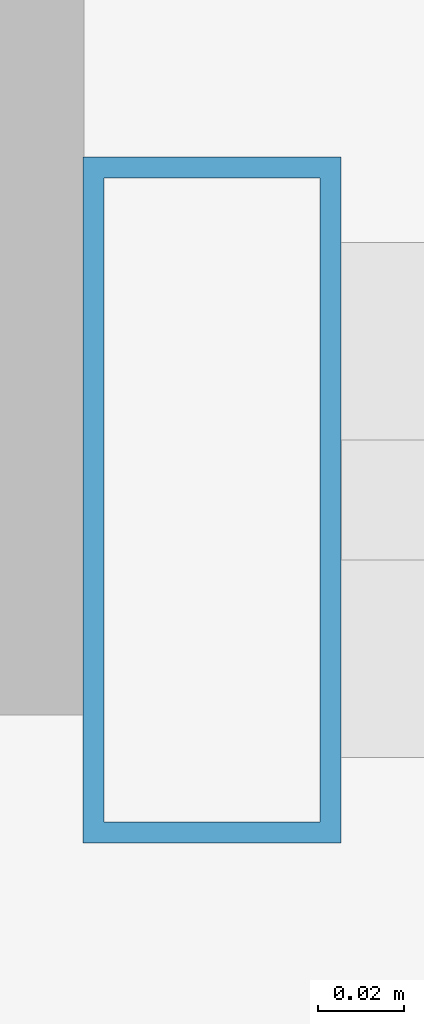
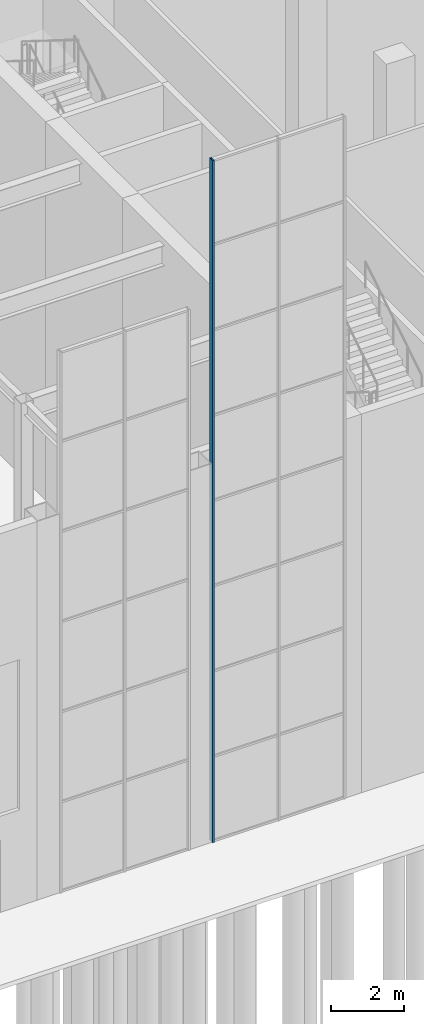
# One storey, part 31 of 58: 1 member, 1 element without a shape of its own.
"""IFC4 building model written with IfcOpenShell, lengths in metres."""

from ifc_helpers import new_model, si_unit, direction, frame, origin, origin_2d, place, context, subcontext, project, spatial, hollow_rectangle, extrude, material, layer, layer_set, material_profile, profile_set, type_object, element, aggregate, save


model = new_model("IFC4")

# Units and contexts
model_context = context("Model", 3, precision=1e-05, world=origin(), true_north=direction((0.0, 1.0)))
body_context = subcontext(model_context, "Body", "Model", "MODEL_VIEW")
ifc_project = project(units=[si_unit("LENGTHUNIT", "METRE"), si_unit("AREAUNIT", "SQUARE_METRE"), si_unit("VOLUMEUNIT", "CUBIC_METRE"), si_unit("PLANEANGLEUNIT", "RADIAN"), si_unit("MASSUNIT", "GRAM", prefix="KILO")], contexts=[model_context])

# Site, building, storey
site_placement = place(None, origin())
site = spatial("IfcSite", under=ifc_project, at=site_placement, CompositionType="ELEMENT")
building_placement = place(site_placement, origin())
building = spatial("IfcBuilding", under=site, at=building_placement, Name="Baori Bourse Tower", CompositionType="ELEMENT")
storey_placement = place(building_placement, origin())
storey = spatial("IfcBuildingStorey", under=building, at=storey_placement, Name="L00", CompositionType="ELEMENT", Elevation=0.0)

# Curtain wall, member
ifc_material_1 = material(Name="Pale anodised aluminium", Category="aluminium")
ifc_layer = layer(ifc_material_1, 0.10009765625)
ifc_layer_set = layer_set([ifc_layer], Name="Wing curtain wall")
curtain_wall_type = type_object("IfcCurtainWallType", Name="Wing curtain wall", PredefinedType="NOTDEFINED", material=ifc_layer_set)
curtain_wall_placement = place(storey_placement, origin())
curtain_wall = element("IfcCurtainWall", 1, at=curtain_wall_placement, inside=storey, type_object=curtain_wall_type, Name="wing/L00/hallcw/008", PredefinedType="NOTDEFINED")
ifc_material_2 = material(Name="Pale anodised aluminium", Category="aluminium")
ifc_material_profile = material_profile(ifc_material_2, hollow_rectangle(XDim=0.159912109375, YDim=0.06005859375, WallThickness=0.0048828125, at=origin_2d()), Name="Mullion 160x60x5")
ifc_profile_set = profile_set([ifc_material_profile], Name="Pale anodised aluminium")
member_type = type_object("IfcMemberType", Name="Wing mullion 60x160", PredefinedType="MULLION", material=ifc_profile_set)
member_placement = place(storey_placement, frame((53.179931640625, -25.14990234375, 0.0), z_axis=(0.0, 0.0, 1.0), x_axis=(0.0, 1.0, 0.0)))
member = element("IfcMember", 2, at=member_placement, type_object=member_type, Name="X12 mullion 1", PredefinedType="MULLION", context=body_context, shape_type="SweptSolid", body=[
    extrude(hollow_rectangle(XDim=0.159912109375, YDim=0.06005859375, WallThickness=0.0048828125, at=origin_2d()), origin(), (0.0, 0.0, 1.0), 22.699951171875),
])
aggregate(curtain_wall, [member])

save(model, "model.ifc")
